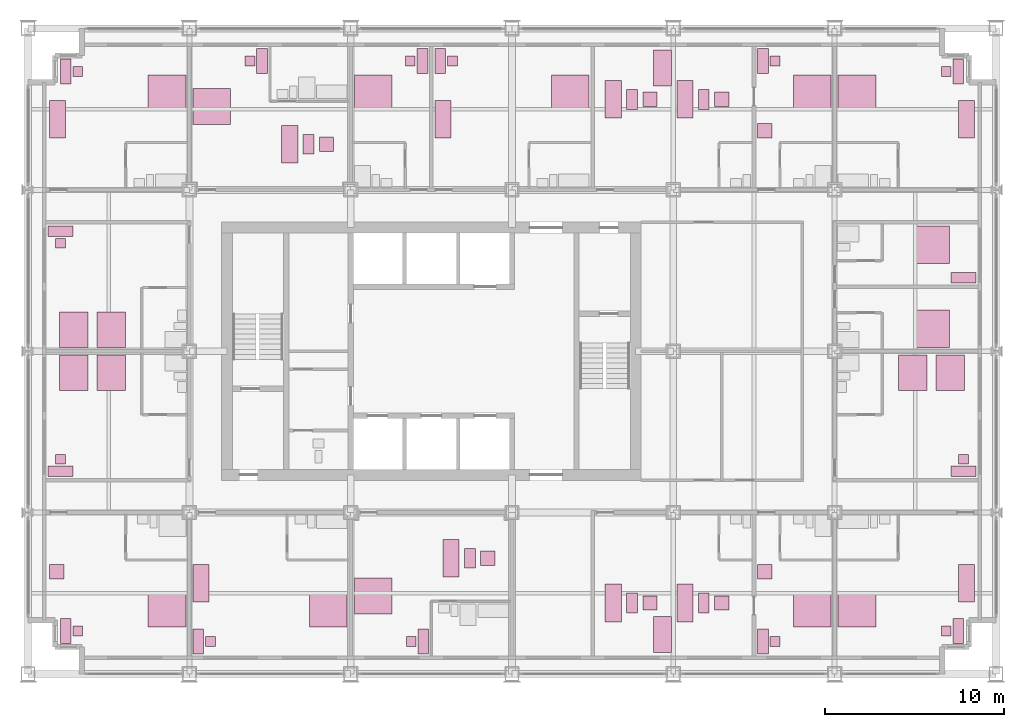
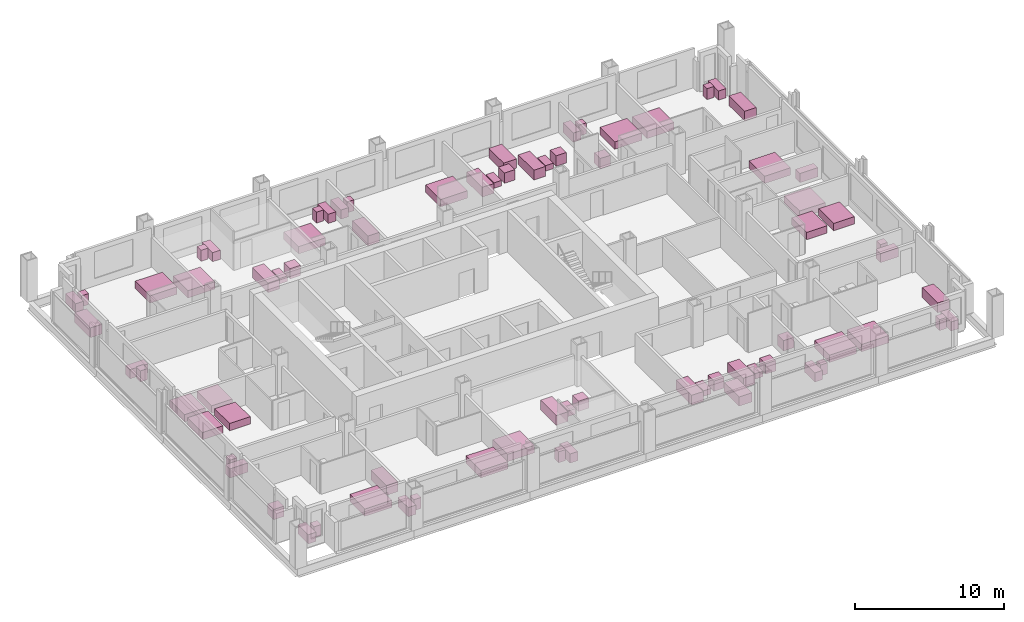
# One storey, part 18 of 18: 76 furniture elements.
"""IFC4 building model written with IfcOpenShell, lengths in metres."""

from ifc_helpers import new_model, si_unit, direction, frame, origin, origin_2d, place, context, subcontext, project, spatial, rectangle, extrude, element, save


model = new_model("IFC4")

# Units and contexts
model_context = context("Model", 3, precision=1e-05, world=origin(), true_north=direction((0.0, 1.0)))
body_context = subcontext(model_context, "Body", "Model", "MODEL_VIEW")
ifc_project = project(units=[si_unit("LENGTHUNIT", "METRE"), si_unit("AREAUNIT", "SQUARE_METRE"), si_unit("VOLUMEUNIT", "CUBIC_METRE"), si_unit("PLANEANGLEUNIT", "RADIAN"), si_unit("MASSUNIT", "GRAM", prefix="KILO")], contexts=[model_context])

# Site, building, storey
site_placement = place(None, origin())
site = spatial("IfcSite", under=ifc_project, at=site_placement, CompositionType="ELEMENT")
building_placement = place(site_placement, origin())
building = spatial("IfcBuilding", under=site, at=building_placement, Name="Loomwork Tower", CompositionType="ELEMENT")
storey_placement = place(building_placement, frame((0.0, 0.0, 72.199951171875)))
storey = spatial("IfcBuildingStorey", under=building, at=storey_placement, Name="L18", CompositionType="ELEMENT", Elevation=72.199951171875)

# Furniture
furniture_1_placement = place(storey_placement, frame((7.75, 3.60009765625, 0.0), z_axis=(0.0, 0.0, 1.0), x_axis=(1.0, 0.0, 0.0)))
element("IfcFurniture", 1, at=furniture_1_placement, inside=storey, Name="King bed L18", PredefinedType="BED", context=body_context, shape_type="SweptSolid", body=[
    extrude(rectangle(XDim=2.10009765625, YDim=2.0, at=origin_2d()), origin(), (0.0, 0.0, 1.0), 0.60009765625),
])
furniture_2_placement = place(storey_placement, frame((2.10009765625, 2.39990234375, 0.0), z_axis=(0.0, 0.0, 1.0), x_axis=(1.0, 0.0, 0.0)))
element("IfcFurniture", 2, at=furniture_2_placement, inside=storey, Name="Writing desk L18", PredefinedType="DESK", context=body_context, shape_type="SweptSolid", body=[
    extrude(rectangle(XDim=0.60009765625, YDim=1.39990234375, at=origin_2d()), origin(), (0.0, 0.0, 1.0), 0.75),
])
furniture_3_placement = place(storey_placement, frame((2.77490234375, 2.39990234375, 0.0), z_axis=(0.0, 0.0, 1.0), x_axis=(1.0, 0.0, 0.0)))
element("IfcFurniture", 3, at=furniture_3_placement, inside=storey, Name="Desk chair L18", PredefinedType="CHAIR", context=body_context, shape_type="SweptSolid", body=[
    extrude(rectangle(XDim=0.550048828125, YDim=0.550048828125, at=origin_2d()), origin(), (0.0, 0.0, 1.0), 0.89990234375),
])
furniture_4_placement = place(storey_placement, frame((1.60009765625, 5.699951171875, 0.0), z_axis=(0.0, 0.0, 1.0), x_axis=(1.0, 0.0, 0.0)))
element("IfcFurniture", 4, at=furniture_4_placement, inside=storey, Name="Lounge armchair L18", PredefinedType="CHAIR", context=body_context, shape_type="SweptSolid", body=[
    extrude(rectangle(XDim=0.800048828125, YDim=0.800048828125, at=origin_2d()), origin(), (0.0, 0.0, 1.0), 0.85009765625),
])
furniture_5_placement = place(storey_placement, frame((16.75, 3.60009765625, 0.0), z_axis=(0.0, 0.0, 1.0), x_axis=(1.0, 0.0, 0.0)))
element("IfcFurniture", 5, at=furniture_5_placement, inside=storey, Name="King bed L18", PredefinedType="BED", context=body_context, shape_type="SweptSolid", body=[
    extrude(rectangle(XDim=2.10009765625, YDim=2.0, at=origin_2d()), origin(), (0.0, 0.0, 1.0), 0.60009765625),
])
furniture_6_placement = place(storey_placement, frame((9.5, 1.800048828125, 0.0), z_axis=(0.0, 0.0, 1.0), x_axis=(1.0, 0.0, 0.0)))
element("IfcFurniture", 6, at=furniture_6_placement, inside=storey, Name="Writing desk L18", PredefinedType="DESK", context=body_context, shape_type="SweptSolid", body=[
    extrude(rectangle(XDim=0.60009765625, YDim=1.39990234375, at=origin_2d()), origin(), (0.0, 0.0, 1.0), 0.75),
])
furniture_7_placement = place(storey_placement, frame((10.175048828125, 1.800048828125, 0.0), z_axis=(0.0, 0.0, 1.0), x_axis=(1.0, 0.0, 0.0)))
element("IfcFurniture", 7, at=furniture_7_placement, inside=storey, Name="Desk chair L18", PredefinedType="CHAIR", context=body_context, shape_type="SweptSolid", body=[
    extrude(rectangle(XDim=0.550048828125, YDim=0.550048828125, at=origin_2d()), origin(), (0.0, 0.0, 1.0), 0.89990234375),
])
furniture_8_placement = place(storey_placement, frame((9.64990234375, 5.050048828125, 0.0), z_axis=(0.0, 0.0, 1.0), x_axis=(1.0, 0.0, 0.0)))
element("IfcFurniture", 8, at=furniture_8_placement, inside=storey, Name="Sofa L18", PredefinedType="SOFA", context=body_context, shape_type="SweptSolid", body=[
    extrude(rectangle(XDim=0.89990234375, YDim=2.10009765625, at=origin_2d()), origin(), (0.0, 0.0, 1.0), 0.800048828125),
])
furniture_9_placement = place(storey_placement, frame((19.25, 4.35009765625, 0.0), z_axis=(0.0, 0.0, 1.0), x_axis=(1.0, 0.0, 0.0)))
element("IfcFurniture", 9, at=furniture_9_placement, inside=storey, Name="King bed L18", PredefinedType="BED", context=body_context, shape_type="SweptSolid", body=[
    extrude(rectangle(XDim=2.10009765625, YDim=2.0, at=origin_2d()), origin(), (0.0, 0.0, 1.0), 0.60009765625),
])
furniture_10_placement = place(storey_placement, frame((22.050048828125, 1.800048828125, 0.0), z_axis=(0.0, 0.0, 1.0), x_axis=(1.0, 0.0, 0.0)))
element("IfcFurniture", 10, at=furniture_10_placement, inside=storey, Name="Writing desk L18", PredefinedType="DESK", context=body_context, shape_type="SweptSolid", body=[
    extrude(rectangle(XDim=0.60009765625, YDim=1.39990234375, at=origin_2d()), origin(), (0.0, 0.0, 1.0), 0.75),
])
furniture_11_placement = place(storey_placement, frame((21.375, 1.800048828125, 0.0), z_axis=(0.0, 0.0, 1.0), x_axis=(1.0, 0.0, 0.0)))
element("IfcFurniture", 11, at=furniture_11_placement, inside=storey, Name="Desk chair L18", PredefinedType="CHAIR", context=body_context, shape_type="SweptSolid", body=[
    extrude(rectangle(XDim=0.550048828125, YDim=0.550048828125, at=origin_2d()), origin(), (0.0, 0.0, 1.0), 0.89990234375),
])
furniture_12_placement = place(storey_placement, frame((23.60009765625, 6.449951171875, 0.0), z_axis=(0.0, 0.0, 1.0), x_axis=(1.0, 0.0, 0.0)))
element("IfcFurniture", 12, at=furniture_12_placement, inside=storey, Name="Sofa L18", PredefinedType="SOFA", context=body_context, shape_type="SweptSolid", body=[
    extrude(rectangle(XDim=0.89990234375, YDim=2.10009765625, at=origin_2d()), origin(), (0.0, 0.0, 1.0), 0.800048828125),
])
furniture_13_placement = place(storey_placement, frame((24.64990234375, 6.449951171875, 0.0), z_axis=(0.0, 0.0, 1.0), x_axis=(1.0, 0.0, 0.0)))
element("IfcFurniture", 13, at=furniture_13_placement, inside=storey, Name="Coffee table L18", PredefinedType="TABLE", context=body_context, shape_type="SweptSolid", body=[
    extrude(rectangle(XDim=0.60009765625, YDim=1.10009765625, at=origin_2d()), origin(), (0.0, 0.0, 1.0), 0.449951171875),
])
furniture_14_placement = place(storey_placement, frame((25.64990234375, 6.449951171875, 0.0), z_axis=(0.0, 0.0, 1.0), x_axis=(1.0, 0.0, 0.0)))
element("IfcFurniture", 14, at=furniture_14_placement, inside=storey, Name="Lounge armchair L18", PredefinedType="CHAIR", context=body_context, shape_type="SweptSolid", body=[
    extrude(rectangle(XDim=0.800048828125, YDim=0.800048828125, at=origin_2d()), origin(), (0.0, 0.0, 1.0), 0.85009765625),
])
furniture_15_placement = place(storey_placement, frame((32.64990234375, 3.949951171875, 0.0), z_axis=(0.0, 0.0, 1.0), x_axis=(1.0, 0.0, 0.0)))
element("IfcFurniture", 15, at=furniture_15_placement, inside=storey, Name="Sofa L18", PredefinedType="SOFA", context=body_context, shape_type="SweptSolid", body=[
    extrude(rectangle(XDim=0.89990234375, YDim=2.10009765625, at=origin_2d()), origin(), (0.0, 0.0, 1.0), 0.800048828125),
])
furniture_16_placement = place(storey_placement, frame((33.699951171875, 3.949951171875, 0.0), z_axis=(0.0, 0.0, 1.0), x_axis=(1.0, 0.0, 0.0)))
element("IfcFurniture", 16, at=furniture_16_placement, inside=storey, Name="Coffee table L18", PredefinedType="TABLE", context=body_context, shape_type="SweptSolid", body=[
    extrude(rectangle(XDim=0.60009765625, YDim=1.10009765625, at=origin_2d()), origin(), (0.0, 0.0, 1.0), 0.449951171875),
])
furniture_17_placement = place(storey_placement, frame((34.699951171875, 3.949951171875, 0.0), z_axis=(0.0, 0.0, 1.0), x_axis=(1.0, 0.0, 0.0)))
element("IfcFurniture", 17, at=furniture_17_placement, inside=storey, Name="Lounge armchair L18", PredefinedType="CHAIR", context=body_context, shape_type="SweptSolid", body=[
    extrude(rectangle(XDim=0.800048828125, YDim=0.800048828125, at=origin_2d()), origin(), (0.0, 0.0, 1.0), 0.85009765625),
])
furniture_18_placement = place(storey_placement, frame((36.64990234375, 3.949951171875, 0.0), z_axis=(0.0, 0.0, 1.0), x_axis=(1.0, 0.0, 0.0)))
element("IfcFurniture", 18, at=furniture_18_placement, inside=storey, Name="Sofa L18", PredefinedType="SOFA", context=body_context, shape_type="SweptSolid", body=[
    extrude(rectangle(XDim=0.89990234375, YDim=2.10009765625, at=origin_2d()), origin(), (0.0, 0.0, 1.0), 0.800048828125),
])
furniture_19_placement = place(storey_placement, frame((37.699951171875, 3.949951171875, 0.0), z_axis=(0.0, 0.0, 1.0), x_axis=(1.0, 0.0, 0.0)))
element("IfcFurniture", 19, at=furniture_19_placement, inside=storey, Name="Coffee table L18", PredefinedType="TABLE", context=body_context, shape_type="SweptSolid", body=[
    extrude(rectangle(XDim=0.60009765625, YDim=1.10009765625, at=origin_2d()), origin(), (0.0, 0.0, 1.0), 0.449951171875),
])
furniture_20_placement = place(storey_placement, frame((38.699951171875, 3.949951171875, 0.0), z_axis=(0.0, 0.0, 1.0), x_axis=(1.0, 0.0, 0.0)))
element("IfcFurniture", 20, at=furniture_20_placement, inside=storey, Name="Lounge armchair L18", PredefinedType="CHAIR", context=body_context, shape_type="SweptSolid", body=[
    extrude(rectangle(XDim=0.800048828125, YDim=0.800048828125, at=origin_2d()), origin(), (0.0, 0.0, 1.0), 0.85009765625),
])
furniture_21_placement = place(storey_placement, frame((35.39990234375, 2.199951171875, 0.0), z_axis=(0.0, 0.0, 1.0), x_axis=(1.0, 0.0, 0.0)))
element("IfcFurniture", 21, at=furniture_21_placement, inside=storey, Name="Dining table L18", PredefinedType="TABLE", context=body_context, shape_type="SweptSolid", body=[
    extrude(rectangle(XDim=1.0, YDim=2.0, at=origin_2d()), origin(), (0.0, 0.0, 1.0), 0.75),
])
furniture_22_placement = place(storey_placement, frame((43.75, 3.60009765625, 0.0), z_axis=(0.0, 0.0, 1.0), x_axis=(1.0, 0.0, 0.0)))
element("IfcFurniture", 22, at=furniture_22_placement, inside=storey, Name="King bed L18", PredefinedType="BED", context=body_context, shape_type="SweptSolid", body=[
    extrude(rectangle(XDim=2.10009765625, YDim=2.0, at=origin_2d()), origin(), (0.0, 0.0, 1.0), 0.60009765625),
])
furniture_23_placement = place(storey_placement, frame((41.0, 1.800048828125, 0.0), z_axis=(0.0, 0.0, 1.0), x_axis=(1.0, 0.0, 0.0)))
element("IfcFurniture", 23, at=furniture_23_placement, inside=storey, Name="Writing desk L18", PredefinedType="DESK", context=body_context, shape_type="SweptSolid", body=[
    extrude(rectangle(XDim=0.60009765625, YDim=1.39990234375, at=origin_2d()), origin(), (0.0, 0.0, 1.0), 0.75),
])
furniture_24_placement = place(storey_placement, frame((41.675048828125, 1.800048828125, 0.0), z_axis=(0.0, 0.0, 1.0), x_axis=(1.0, 0.0, 0.0)))
element("IfcFurniture", 24, at=furniture_24_placement, inside=storey, Name="Desk chair L18", PredefinedType="CHAIR", context=body_context, shape_type="SweptSolid", body=[
    extrude(rectangle(XDim=0.550048828125, YDim=0.550048828125, at=origin_2d()), origin(), (0.0, 0.0, 1.0), 0.89990234375),
])
furniture_25_placement = place(storey_placement, frame((41.10009765625, 5.699951171875, 0.0), z_axis=(0.0, 0.0, 1.0), x_axis=(1.0, 0.0, 0.0)))
element("IfcFurniture", 25, at=furniture_25_placement, inside=storey, Name="Lounge armchair L18", PredefinedType="CHAIR", context=body_context, shape_type="SweptSolid", body=[
    extrude(rectangle(XDim=0.800048828125, YDim=0.800048828125, at=origin_2d()), origin(), (0.0, 0.0, 1.0), 0.85009765625),
])
furniture_26_placement = place(storey_placement, frame((46.25, 3.60009765625, 0.0), z_axis=(0.0, 0.0, 1.0), x_axis=(1.0, 0.0, 0.0)))
element("IfcFurniture", 26, at=furniture_26_placement, inside=storey, Name="King bed L18", PredefinedType="BED", context=body_context, shape_type="SweptSolid", body=[
    extrude(rectangle(XDim=2.10009765625, YDim=2.0, at=origin_2d()), origin(), (0.0, 0.0, 1.0), 0.60009765625),
])
furniture_27_placement = place(storey_placement, frame((51.89990234375, 2.39990234375, 0.0), z_axis=(0.0, 0.0, 1.0), x_axis=(1.0, 0.0, 0.0)))
element("IfcFurniture", 27, at=furniture_27_placement, inside=storey, Name="Writing desk L18", PredefinedType="DESK", context=body_context, shape_type="SweptSolid", body=[
    extrude(rectangle(XDim=0.60009765625, YDim=1.39990234375, at=origin_2d()), origin(), (0.0, 0.0, 1.0), 0.75),
])
furniture_28_placement = place(storey_placement, frame((51.22509765625, 2.39990234375, 0.0), z_axis=(0.0, 0.0, 1.0), x_axis=(1.0, 0.0, 0.0)))
element("IfcFurniture", 28, at=furniture_28_placement, inside=storey, Name="Desk chair L18", PredefinedType="CHAIR", context=body_context, shape_type="SweptSolid", body=[
    extrude(rectangle(XDim=0.550048828125, YDim=0.550048828125, at=origin_2d()), origin(), (0.0, 0.0, 1.0), 0.89990234375),
])
furniture_29_placement = place(storey_placement, frame((52.35009765625, 5.050048828125, 0.0), z_axis=(0.0, 0.0, 1.0), x_axis=(1.0, 0.0, 0.0)))
element("IfcFurniture", 29, at=furniture_29_placement, inside=storey, Name="Sofa L18", PredefinedType="SOFA", context=body_context, shape_type="SweptSolid", body=[
    extrude(rectangle(XDim=0.89990234375, YDim=2.10009765625, at=origin_2d()), origin(), (0.0, 0.0, 1.0), 0.800048828125),
])
furniture_30_placement = place(storey_placement, frame((7.75, 32.39990234375, 0.0), z_axis=(0.0, 0.0, 1.0), x_axis=(1.0, 0.0, 0.0)))
element("IfcFurniture", 30, at=furniture_30_placement, inside=storey, Name="King bed L18", PredefinedType="BED", context=body_context, shape_type="SweptSolid", body=[
    extrude(rectangle(XDim=2.10009765625, YDim=2.0, at=origin_2d()), origin(), (0.0, 0.0, 1.0), 0.60009765625),
])
furniture_31_placement = place(storey_placement, frame((2.10009765625, 33.60009765625, 0.0), z_axis=(0.0, 0.0, 1.0), x_axis=(1.0, 0.0, 0.0)))
element("IfcFurniture", 31, at=furniture_31_placement, inside=storey, Name="Writing desk L18", PredefinedType="DESK", context=body_context, shape_type="SweptSolid", body=[
    extrude(rectangle(XDim=0.60009765625, YDim=1.39990234375, at=origin_2d()), origin(), (0.0, 0.0, 1.0), 0.75),
])
furniture_32_placement = place(storey_placement, frame((2.77490234375, 33.60009765625, 0.0), z_axis=(0.0, 0.0, 1.0), x_axis=(1.0, 0.0, 0.0)))
element("IfcFurniture", 32, at=furniture_32_placement, inside=storey, Name="Desk chair L18", PredefinedType="CHAIR", context=body_context, shape_type="SweptSolid", body=[
    extrude(rectangle(XDim=0.550048828125, YDim=0.550048828125, at=origin_2d()), origin(), (0.0, 0.0, 1.0), 0.89990234375),
])
furniture_33_placement = place(storey_placement, frame((1.64990234375, 30.949951171875, 0.0), z_axis=(0.0, 0.0, 1.0), x_axis=(1.0, 0.0, 0.0)))
element("IfcFurniture", 33, at=furniture_33_placement, inside=storey, Name="Sofa L18", PredefinedType="SOFA", context=body_context, shape_type="SweptSolid", body=[
    extrude(rectangle(XDim=0.89990234375, YDim=2.10009765625, at=origin_2d()), origin(), (0.0, 0.0, 1.0), 0.800048828125),
])
furniture_34_placement = place(storey_placement, frame((10.25, 31.64990234375, 0.0), z_axis=(0.0, 0.0, 1.0), x_axis=(1.0, 0.0, 0.0)))
element("IfcFurniture", 34, at=furniture_34_placement, inside=storey, Name="King bed L18", PredefinedType="BED", context=body_context, shape_type="SweptSolid", body=[
    extrude(rectangle(XDim=2.10009765625, YDim=2.0, at=origin_2d()), origin(), (0.0, 0.0, 1.0), 0.60009765625),
])
furniture_35_placement = place(storey_placement, frame((13.050048828125, 34.199951171875, 0.0), z_axis=(0.0, 0.0, 1.0), x_axis=(1.0, 0.0, 0.0)))
element("IfcFurniture", 35, at=furniture_35_placement, inside=storey, Name="Writing desk L18", PredefinedType="DESK", context=body_context, shape_type="SweptSolid", body=[
    extrude(rectangle(XDim=0.60009765625, YDim=1.39990234375, at=origin_2d()), origin(), (0.0, 0.0, 1.0), 0.75),
])
furniture_36_placement = place(storey_placement, frame((12.375, 34.199951171875, 0.0), z_axis=(0.0, 0.0, 1.0), x_axis=(1.0, 0.0, 0.0)))
element("IfcFurniture", 36, at=furniture_36_placement, inside=storey, Name="Desk chair L18", PredefinedType="CHAIR", context=body_context, shape_type="SweptSolid", body=[
    extrude(rectangle(XDim=0.550048828125, YDim=0.550048828125, at=origin_2d()), origin(), (0.0, 0.0, 1.0), 0.89990234375),
])
furniture_37_placement = place(storey_placement, frame((14.60009765625, 29.550048828125, 0.0), z_axis=(0.0, 0.0, 1.0), x_axis=(1.0, 0.0, 0.0)))
element("IfcFurniture", 37, at=furniture_37_placement, inside=storey, Name="Sofa L18", PredefinedType="SOFA", context=body_context, shape_type="SweptSolid", body=[
    extrude(rectangle(XDim=0.89990234375, YDim=2.10009765625, at=origin_2d()), origin(), (0.0, 0.0, 1.0), 0.800048828125),
])
furniture_38_placement = place(storey_placement, frame((15.64990234375, 29.550048828125, 0.0), z_axis=(0.0, 0.0, 1.0), x_axis=(1.0, 0.0, 0.0)))
element("IfcFurniture", 38, at=furniture_38_placement, inside=storey, Name="Coffee table L18", PredefinedType="TABLE", context=body_context, shape_type="SweptSolid", body=[
    extrude(rectangle(XDim=0.60009765625, YDim=1.10009765625, at=origin_2d()), origin(), (0.0, 0.0, 1.0), 0.449951171875),
])
furniture_39_placement = place(storey_placement, frame((16.64990234375, 29.550048828125, 0.0), z_axis=(0.0, 0.0, 1.0), x_axis=(1.0, 0.0, 0.0)))
element("IfcFurniture", 39, at=furniture_39_placement, inside=storey, Name="Lounge armchair L18", PredefinedType="CHAIR", context=body_context, shape_type="SweptSolid", body=[
    extrude(rectangle(XDim=0.800048828125, YDim=0.800048828125, at=origin_2d()), origin(), (0.0, 0.0, 1.0), 0.85009765625),
])
furniture_40_placement = place(storey_placement, frame((19.25, 32.39990234375, 0.0), z_axis=(0.0, 0.0, 1.0), x_axis=(1.0, 0.0, 0.0)))
element("IfcFurniture", 40, at=furniture_40_placement, inside=storey, Name="King bed L18", PredefinedType="BED", context=body_context, shape_type="SweptSolid", body=[
    extrude(rectangle(XDim=2.10009765625, YDim=2.0, at=origin_2d()), origin(), (0.0, 0.0, 1.0), 0.60009765625),
])
furniture_41_placement = place(storey_placement, frame((22.0, 34.199951171875, 0.0), z_axis=(0.0, 0.0, 1.0), x_axis=(1.0, 0.0, 0.0)))
element("IfcFurniture", 41, at=furniture_41_placement, inside=storey, Name="Writing desk L18", PredefinedType="DESK", context=body_context, shape_type="SweptSolid", body=[
    extrude(rectangle(XDim=0.60009765625, YDim=1.39990234375, at=origin_2d()), origin(), (0.0, 0.0, 1.0), 0.75),
])
furniture_42_placement = place(storey_placement, frame((21.324951171875, 34.199951171875, 0.0), z_axis=(0.0, 0.0, 1.0), x_axis=(1.0, 0.0, 0.0)))
element("IfcFurniture", 42, at=furniture_42_placement, inside=storey, Name="Desk chair L18", PredefinedType="CHAIR", context=body_context, shape_type="SweptSolid", body=[
    extrude(rectangle(XDim=0.550048828125, YDim=0.550048828125, at=origin_2d()), origin(), (0.0, 0.0, 1.0), 0.89990234375),
])
furniture_43_placement = place(storey_placement, frame((30.25, 32.39990234375, 0.0), z_axis=(0.0, 0.0, 1.0), x_axis=(1.0, 0.0, 0.0)))
element("IfcFurniture", 43, at=furniture_43_placement, inside=storey, Name="King bed L18", PredefinedType="BED", context=body_context, shape_type="SweptSolid", body=[
    extrude(rectangle(XDim=2.10009765625, YDim=2.0, at=origin_2d()), origin(), (0.0, 0.0, 1.0), 0.60009765625),
])
furniture_44_placement = place(storey_placement, frame((23.0, 34.199951171875, 0.0), z_axis=(0.0, 0.0, 1.0), x_axis=(1.0, 0.0, 0.0)))
element("IfcFurniture", 44, at=furniture_44_placement, inside=storey, Name="Writing desk L18", PredefinedType="DESK", context=body_context, shape_type="SweptSolid", body=[
    extrude(rectangle(XDim=0.60009765625, YDim=1.39990234375, at=origin_2d()), origin(), (0.0, 0.0, 1.0), 0.75),
])
furniture_45_placement = place(storey_placement, frame((23.675048828125, 34.199951171875, 0.0), z_axis=(0.0, 0.0, 1.0), x_axis=(1.0, 0.0, 0.0)))
element("IfcFurniture", 45, at=furniture_45_placement, inside=storey, Name="Desk chair L18", PredefinedType="CHAIR", context=body_context, shape_type="SweptSolid", body=[
    extrude(rectangle(XDim=0.550048828125, YDim=0.550048828125, at=origin_2d()), origin(), (0.0, 0.0, 1.0), 0.89990234375),
])
for number, where, z_axis, x_axis, name in (
    (46, (23.14990234375, 30.949951171875, 0.0), (0.0, 0.0, 1.0), (1.0, 0.0, 0.0), "Sofa L18"),
    (47, (32.64990234375, 32.050048828125, 0.0), (0.0, 0.0, 1.0), (1.0, 0.0, 0.0), "Sofa L18"),
):
    element("IfcFurniture", number, at=place(storey_placement, frame(where, z_axis=z_axis, x_axis=x_axis)), inside=storey, Name=name, PredefinedType="SOFA", context=body_context, shape_type="SweptSolid", body=[
        extrude(rectangle(XDim=0.89990234375, YDim=2.10009765625, at=origin_2d()), origin(), (0.0, 0.0, 1.0), 0.800048828125),
    ])
furniture_46_placement = place(storey_placement, frame((33.699951171875, 32.050048828125, 0.0), z_axis=(0.0, 0.0, 1.0), x_axis=(1.0, 0.0, 0.0)))
element("IfcFurniture", 48, at=furniture_46_placement, inside=storey, Name="Coffee table L18", PredefinedType="TABLE", context=body_context, shape_type="SweptSolid", body=[
    extrude(rectangle(XDim=0.60009765625, YDim=1.10009765625, at=origin_2d()), origin(), (0.0, 0.0, 1.0), 0.449951171875),
])
furniture_47_placement = place(storey_placement, frame((34.699951171875, 32.050048828125, 0.0), z_axis=(0.0, 0.0, 1.0), x_axis=(1.0, 0.0, 0.0)))
element("IfcFurniture", 49, at=furniture_47_placement, inside=storey, Name="Lounge armchair L18", PredefinedType="CHAIR", context=body_context, shape_type="SweptSolid", body=[
    extrude(rectangle(XDim=0.800048828125, YDim=0.800048828125, at=origin_2d()), origin(), (0.0, 0.0, 1.0), 0.85009765625),
])
furniture_48_placement = place(storey_placement, frame((36.64990234375, 32.050048828125, 0.0), z_axis=(0.0, 0.0, 1.0), x_axis=(1.0, 0.0, 0.0)))
element("IfcFurniture", 50, at=furniture_48_placement, inside=storey, Name="Sofa L18", PredefinedType="SOFA", context=body_context, shape_type="SweptSolid", body=[
    extrude(rectangle(XDim=0.89990234375, YDim=2.10009765625, at=origin_2d()), origin(), (0.0, 0.0, 1.0), 0.800048828125),
])
furniture_49_placement = place(storey_placement, frame((37.699951171875, 32.050048828125, 0.0), z_axis=(0.0, 0.0, 1.0), x_axis=(1.0, 0.0, 0.0)))
element("IfcFurniture", 51, at=furniture_49_placement, inside=storey, Name="Coffee table L18", PredefinedType="TABLE", context=body_context, shape_type="SweptSolid", body=[
    extrude(rectangle(XDim=0.60009765625, YDim=1.10009765625, at=origin_2d()), origin(), (0.0, 0.0, 1.0), 0.449951171875),
])
furniture_50_placement = place(storey_placement, frame((38.699951171875, 32.050048828125, 0.0), z_axis=(0.0, 0.0, 1.0), x_axis=(1.0, 0.0, 0.0)))
element("IfcFurniture", 52, at=furniture_50_placement, inside=storey, Name="Lounge armchair L18", PredefinedType="CHAIR", context=body_context, shape_type="SweptSolid", body=[
    extrude(rectangle(XDim=0.800048828125, YDim=0.800048828125, at=origin_2d()), origin(), (0.0, 0.0, 1.0), 0.85009765625),
])
furniture_51_placement = place(storey_placement, frame((35.39990234375, 33.800048828125, 0.0), z_axis=(0.0, 0.0, 1.0), x_axis=(1.0, 0.0, 0.0)))
element("IfcFurniture", 53, at=furniture_51_placement, inside=storey, Name="Dining table L18", PredefinedType="TABLE", context=body_context, shape_type="SweptSolid", body=[
    extrude(rectangle(XDim=1.0, YDim=2.0, at=origin_2d()), origin(), (0.0, 0.0, 1.0), 0.75),
])
furniture_52_placement = place(storey_placement, frame((43.75, 32.39990234375, 0.0), z_axis=(0.0, 0.0, 1.0), x_axis=(1.0, 0.0, 0.0)))
element("IfcFurniture", 54, at=furniture_52_placement, inside=storey, Name="King bed L18", PredefinedType="BED", context=body_context, shape_type="SweptSolid", body=[
    extrude(rectangle(XDim=2.10009765625, YDim=2.0, at=origin_2d()), origin(), (0.0, 0.0, 1.0), 0.60009765625),
])
furniture_53_placement = place(storey_placement, frame((41.0, 34.199951171875, 0.0), z_axis=(0.0, 0.0, 1.0), x_axis=(1.0, 0.0, 0.0)))
element("IfcFurniture", 55, at=furniture_53_placement, inside=storey, Name="Writing desk L18", PredefinedType="DESK", context=body_context, shape_type="SweptSolid", body=[
    extrude(rectangle(XDim=0.60009765625, YDim=1.39990234375, at=origin_2d()), origin(), (0.0, 0.0, 1.0), 0.75),
])
furniture_54_placement = place(storey_placement, frame((41.675048828125, 34.199951171875, 0.0), z_axis=(0.0, 0.0, 1.0), x_axis=(1.0, 0.0, 0.0)))
element("IfcFurniture", 56, at=furniture_54_placement, inside=storey, Name="Desk chair L18", PredefinedType="CHAIR", context=body_context, shape_type="SweptSolid", body=[
    extrude(rectangle(XDim=0.550048828125, YDim=0.550048828125, at=origin_2d()), origin(), (0.0, 0.0, 1.0), 0.89990234375),
])
furniture_55_placement = place(storey_placement, frame((41.10009765625, 30.300048828125, 0.0), z_axis=(0.0, 0.0, 1.0), x_axis=(1.0, 0.0, 0.0)))
element("IfcFurniture", 57, at=furniture_55_placement, inside=storey, Name="Lounge armchair L18", PredefinedType="CHAIR", context=body_context, shape_type="SweptSolid", body=[
    extrude(rectangle(XDim=0.800048828125, YDim=0.800048828125, at=origin_2d()), origin(), (0.0, 0.0, 1.0), 0.85009765625),
])
furniture_56_placement = place(storey_placement, frame((46.25, 32.39990234375, 0.0), z_axis=(0.0, 0.0, 1.0), x_axis=(1.0, 0.0, 0.0)))
element("IfcFurniture", 58, at=furniture_56_placement, inside=storey, Name="King bed L18", PredefinedType="BED", context=body_context, shape_type="SweptSolid", body=[
    extrude(rectangle(XDim=2.10009765625, YDim=2.0, at=origin_2d()), origin(), (0.0, 0.0, 1.0), 0.60009765625),
])
furniture_57_placement = place(storey_placement, frame((51.89990234375, 33.60009765625, 0.0), z_axis=(0.0, 0.0, 1.0), x_axis=(1.0, 0.0, 0.0)))
element("IfcFurniture", 59, at=furniture_57_placement, inside=storey, Name="Writing desk L18", PredefinedType="DESK", context=body_context, shape_type="SweptSolid", body=[
    extrude(rectangle(XDim=0.60009765625, YDim=1.39990234375, at=origin_2d()), origin(), (0.0, 0.0, 1.0), 0.75),
])
furniture_58_placement = place(storey_placement, frame((51.22509765625, 33.60009765625, 0.0), z_axis=(0.0, 0.0, 1.0), x_axis=(1.0, 0.0, 0.0)))
element("IfcFurniture", 60, at=furniture_58_placement, inside=storey, Name="Desk chair L18", PredefinedType="CHAIR", context=body_context, shape_type="SweptSolid", body=[
    extrude(rectangle(XDim=0.550048828125, YDim=0.550048828125, at=origin_2d()), origin(), (0.0, 0.0, 1.0), 0.89990234375),
])
furniture_59_placement = place(storey_placement, frame((52.35009765625, 30.949951171875, 0.0), z_axis=(0.0, 0.0, 1.0), x_axis=(1.0, 0.0, 0.0)))
element("IfcFurniture", 61, at=furniture_59_placement, inside=storey, Name="Sofa L18", PredefinedType="SOFA", context=body_context, shape_type="SweptSolid", body=[
    extrude(rectangle(XDim=0.89990234375, YDim=2.10009765625, at=origin_2d()), origin(), (0.0, 0.0, 1.0), 0.800048828125),
])
for number, where, z_axis, x_axis, name in (
    (62, (4.64990234375, 16.800048828125, 0.0), (0.0, 0.0, 1.0), (1.0, 0.0, 0.0), "Queen bed L18"),
    (63, (2.550048828125, 16.800048828125, 0.0), (0.0, 0.0, 1.0), (1.0, 0.0, 0.0), "Queen bed L18"),
):
    element("IfcFurniture", number, at=place(storey_placement, frame(where, z_axis=z_axis, x_axis=x_axis)), inside=storey, Name=name, PredefinedType="BED", context=body_context, shape_type="SweptSolid", body=[
        extrude(rectangle(XDim=1.60009765625, YDim=2.0, at=origin_2d()), origin(), (0.0, 0.0, 1.0), 0.60009765625),
    ])
furniture_60_placement = place(storey_placement, frame((1.800048828125, 11.300048828125, 0.0), z_axis=(0.0, 0.0, 1.0), x_axis=(1.0, 0.0, 0.0)))
element("IfcFurniture", 64, at=furniture_60_placement, inside=storey, Name="Writing desk L18", PredefinedType="DESK", context=body_context, shape_type="SweptSolid", body=[
    extrude(rectangle(XDim=1.39990234375, YDim=0.60009765625, at=origin_2d()), origin(), (0.0, 0.0, 1.0), 0.75),
])
furniture_61_placement = place(storey_placement, frame((1.800048828125, 11.97509765625, 0.0), z_axis=(0.0, 0.0, 1.0), x_axis=(1.0, 0.0, 0.0)))
element("IfcFurniture", 65, at=furniture_61_placement, inside=storey, Name="Desk chair L18", PredefinedType="CHAIR", context=body_context, shape_type="SweptSolid", body=[
    extrude(rectangle(XDim=0.550048828125, YDim=0.550048828125, at=origin_2d()), origin(), (0.0, 0.0, 1.0), 0.89990234375),
])
for number, where, z_axis, x_axis, name in (
    (66, (4.64990234375, 19.199951171875, 0.0), (0.0, 0.0, 1.0), (1.0, 0.0, 0.0), "Queen bed L18"),
    (67, (2.550048828125, 19.199951171875, 0.0), (0.0, 0.0, 1.0), (1.0, 0.0, 0.0), "Queen bed L18"),
):
    element("IfcFurniture", number, at=place(storey_placement, frame(where, z_axis=z_axis, x_axis=x_axis)), inside=storey, Name=name, PredefinedType="BED", context=body_context, shape_type="SweptSolid", body=[
        extrude(rectangle(XDim=1.60009765625, YDim=2.0, at=origin_2d()), origin(), (0.0, 0.0, 1.0), 0.60009765625),
    ])
furniture_62_placement = place(storey_placement, frame((1.800048828125, 24.699951171875, 0.0), z_axis=(0.0, 0.0, 1.0), x_axis=(1.0, 0.0, 0.0)))
element("IfcFurniture", 68, at=furniture_62_placement, inside=storey, Name="Writing desk L18", PredefinedType="DESK", context=body_context, shape_type="SweptSolid", body=[
    extrude(rectangle(XDim=1.39990234375, YDim=0.60009765625, at=origin_2d()), origin(), (0.0, 0.0, 1.0), 0.75),
])
furniture_63_placement = place(storey_placement, frame((1.800048828125, 24.02490234375, 0.0), z_axis=(0.0, 0.0, 1.0), x_axis=(1.0, 0.0, 0.0)))
element("IfcFurniture", 69, at=furniture_63_placement, inside=storey, Name="Desk chair L18", PredefinedType="CHAIR", context=body_context, shape_type="SweptSolid", body=[
    extrude(rectangle(XDim=0.550048828125, YDim=0.550048828125, at=origin_2d()), origin(), (0.0, 0.0, 1.0), 0.89990234375),
])
for number, where, z_axis, x_axis, name in (
    (70, (49.35009765625, 16.800048828125, 0.0), (0.0, 0.0, 1.0), (1.0, 0.0, 0.0), "Queen bed L18"),
    (71, (51.449951171875, 16.800048828125, 0.0), (0.0, 0.0, 1.0), (1.0, 0.0, 0.0), "Queen bed L18"),
):
    element("IfcFurniture", number, at=place(storey_placement, frame(where, z_axis=z_axis, x_axis=x_axis)), inside=storey, Name=name, PredefinedType="BED", context=body_context, shape_type="SweptSolid", body=[
        extrude(rectangle(XDim=1.60009765625, YDim=2.0, at=origin_2d()), origin(), (0.0, 0.0, 1.0), 0.60009765625),
    ])
furniture_64_placement = place(storey_placement, frame((52.199951171875, 11.300048828125, 0.0), z_axis=(0.0, 0.0, 1.0), x_axis=(1.0, 0.0, 0.0)))
element("IfcFurniture", 72, at=furniture_64_placement, inside=storey, Name="Writing desk L18", PredefinedType="DESK", context=body_context, shape_type="SweptSolid", body=[
    extrude(rectangle(XDim=1.39990234375, YDim=0.60009765625, at=origin_2d()), origin(), (0.0, 0.0, 1.0), 0.75),
])
furniture_65_placement = place(storey_placement, frame((52.199951171875, 11.97509765625, 0.0), z_axis=(0.0, 0.0, 1.0), x_axis=(1.0, 0.0, 0.0)))
element("IfcFurniture", 73, at=furniture_65_placement, inside=storey, Name="Desk chair L18", PredefinedType="CHAIR", context=body_context, shape_type="SweptSolid", body=[
    extrude(rectangle(XDim=0.550048828125, YDim=0.550048828125, at=origin_2d()), origin(), (0.0, 0.0, 1.0), 0.89990234375),
])
for number, where, z_axis, x_axis, name in (
    (74, (50.39990234375, 19.25, 0.0), (0.0, 0.0, 1.0), (1.0, 0.0, 0.0), "King bed L18"),
    (75, (50.39990234375, 23.949951171875, 0.0), (0.0, 0.0, 1.0), (1.0, 0.0, 0.0), "King bed L18"),
):
    element("IfcFurniture", number, at=place(storey_placement, frame(where, z_axis=z_axis, x_axis=x_axis)), inside=storey, Name=name, PredefinedType="BED", context=body_context, shape_type="SweptSolid", body=[
        extrude(rectangle(XDim=2.0, YDim=2.10009765625, at=origin_2d()), origin(), (0.0, 0.0, 1.0), 0.60009765625),
    ])
furniture_66_placement = place(storey_placement, frame((52.199951171875, 22.10009765625, 0.0), z_axis=(0.0, 0.0, 1.0), x_axis=(1.0, 0.0, 0.0)))
element("IfcFurniture", 76, at=furniture_66_placement, inside=storey, Name="Writing desk L18", PredefinedType="DESK", context=body_context, shape_type="SweptSolid", body=[
    extrude(rectangle(XDim=1.39990234375, YDim=0.60009765625, at=origin_2d()), origin(), (0.0, 0.0, 1.0), 0.75),
])

save(model, "model.ifc")
